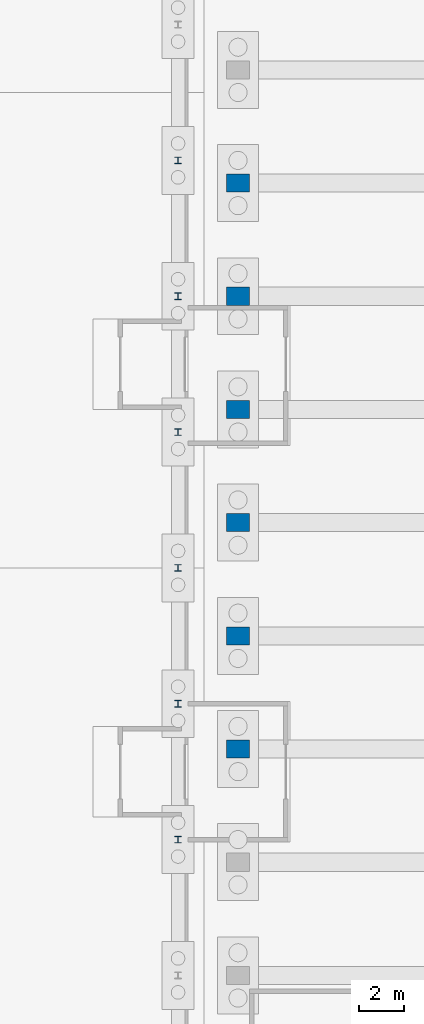
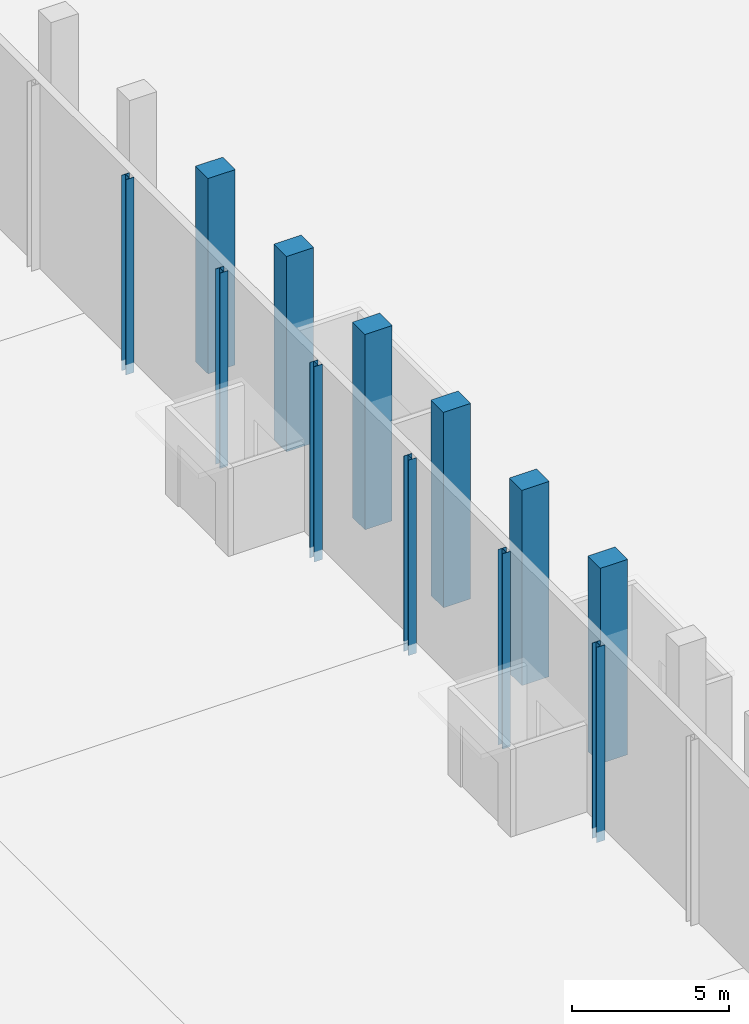
# One storey, part 38 of 239: 12 columns.
"""IFC4 building model written with IfcOpenShell, lengths in metres."""

from ifc_helpers import new_model, si_unit, direction, frame, origin, origin_2d, place, context, subcontext, project, spatial, rectangle, i_section, extrude, material, material_profile, profile_set, type_object, element, save


model = new_model("IFC4")

# Units and contexts
model_context = context("Model", 3, precision=1e-05, world=origin(), true_north=direction((0.0, 1.0)))
body_context = subcontext(model_context, "Body", "Model", "MODEL_VIEW")
ifc_project = project(units=[si_unit("LENGTHUNIT", "METRE"), si_unit("AREAUNIT", "SQUARE_METRE"), si_unit("VOLUMEUNIT", "CUBIC_METRE"), si_unit("PLANEANGLEUNIT", "RADIAN"), si_unit("MASSUNIT", "GRAM", prefix="KILO")], contexts=[model_context])

# Site, building, storey
site_placement = place(None, origin())
site = spatial("IfcSite", under=ifc_project, at=site_placement, CompositionType="ELEMENT")
building_placement = place(site_placement, origin())
building = spatial("IfcBuilding", under=site, at=building_placement, Name="Okhra Congress Centre", CompositionType="ELEMENT")
storey_placement = place(building_placement, origin())
storey = spatial("IfcBuildingStorey", under=building, at=storey_placement, Name="L00", CompositionType="ELEMENT", Elevation=0.0)

# Columns
ifc_material_1 = material(Name="Steel S355J2", Category="steel")
ifc_material_profile_1 = material_profile(ifc_material_1, i_section(OverallWidth=0.300048828125, OverallDepth=0.2900390625, WebThickness=0.008544921875, FlangeThickness=0.013916015625, at=origin_2d()), Name="HE 300 A")
ifc_profile_set_1 = profile_set([ifc_material_profile_1], Name="Steel S355J2")
column_type_1 = type_object("IfcColumnType", Name="HE 300 A", PredefinedType="COLUMN", material=ifc_profile_set_1)
for number, where, z_axis, x_axis, name in (
    (1, (152.85009765625, 162.0, -0.39990234375), (0.0, 0.0, 1.0), (1.0, 0.0, 0.0), "EH.COL.L00.WP24"),
    (2, (152.85009765625, 168.0, -0.39990234375), (0.0, 0.0, 1.0), (1.0, 0.0, 0.0), "EH.COL.L00.WP26"),
    (3, (152.85009765625, 174.0, -0.39990234375), (0.0, 0.0, 1.0), (1.0, 0.0, 0.0), "EH.COL.L00.WP28"),
    (4, (152.85009765625, 180.0, -0.39990234375), (0.0, 0.0, 1.0), (1.0, 0.0, 0.0), "EH.COL.L00.WP30"),
    (5, (152.85009765625, 186.0, -0.39990234375), (0.0, 0.0, 1.0), (1.0, 0.0, 0.0), "EH.COL.L00.WP32"),
    (6, (152.85009765625, 192.0, -0.39990234375), (0.0, 0.0, 1.0), (1.0, 0.0, 0.0), "EH.COL.L00.WP34"),
):
    element("IfcColumn", number, at=place(storey_placement, frame(where, z_axis=z_axis, x_axis=x_axis)), inside=storey, type_object=column_type_1, Name=name, PredefinedType="COLUMN", context=body_context, shape_type="SweptSolid", body=[
        extrude(i_section(OverallWidth=0.300048828125, OverallDepth=0.2900390625, WebThickness=0.008544921875, FlangeThickness=0.013916015625, at=origin_2d()), origin(), (0.0, 0.0, 1.0), 7.599853515625),
    ])
ifc_material_2 = material(Name="Concrete C40/50", Category="concrete")
ifc_material_profile_2 = material_profile(ifc_material_2, rectangle(XDim=1.0, YDim=0.800048828125, at=origin_2d()), Name="RC 1000x800")
ifc_profile_set_2 = profile_set([ifc_material_profile_2], Name="Concrete C40/50")
column_type_2 = type_object("IfcColumnType", Name="RC pier 1000x800 C40/50", PredefinedType="COLUMN", material=ifc_profile_set_2)
for number, where, z_axis, x_axis, name in (
    (7, (155.5, 166.0, -0.39990234375), (0.0, 0.0, 1.0), (1.0, 0.0, 0.0), "WG.COL.L00.pier-W18"),
    (8, (155.5, 171.0, -0.39990234375), (0.0, 0.0, 1.0), (1.0, 0.0, 0.0), "WG.COL.L00.pier-W19"),
    (9, (155.5, 176.0, -0.39990234375), (0.0, 0.0, 1.0), (1.0, 0.0, 0.0), "WG.COL.L00.pier-W20"),
    (10, (155.5, 181.0, -0.39990234375), (0.0, 0.0, 1.0), (1.0, 0.0, 0.0), "WG.COL.L00.pier-W21"),
    (11, (155.5, 186.0, -0.39990234375), (0.0, 0.0, 1.0), (1.0, 0.0, 0.0), "WG.COL.L00.pier-W22"),
    (12, (155.5, 191.0, -0.39990234375), (0.0, 0.0, 1.0), (1.0, 0.0, 0.0), "WG.COL.L00.pier-W23"),
):
    element("IfcColumn", number, at=place(storey_placement, frame(where, z_axis=z_axis, x_axis=x_axis)), inside=storey, type_object=column_type_2, Name=name, PredefinedType="COLUMN", context=body_context, shape_type="SweptSolid", body=[
        extrude(rectangle(XDim=1.0, YDim=0.800048828125, at=origin_2d()), origin(), (0.0, 0.0, 1.0), 7.599853515625),
    ])

save(model, "model.ifc")
